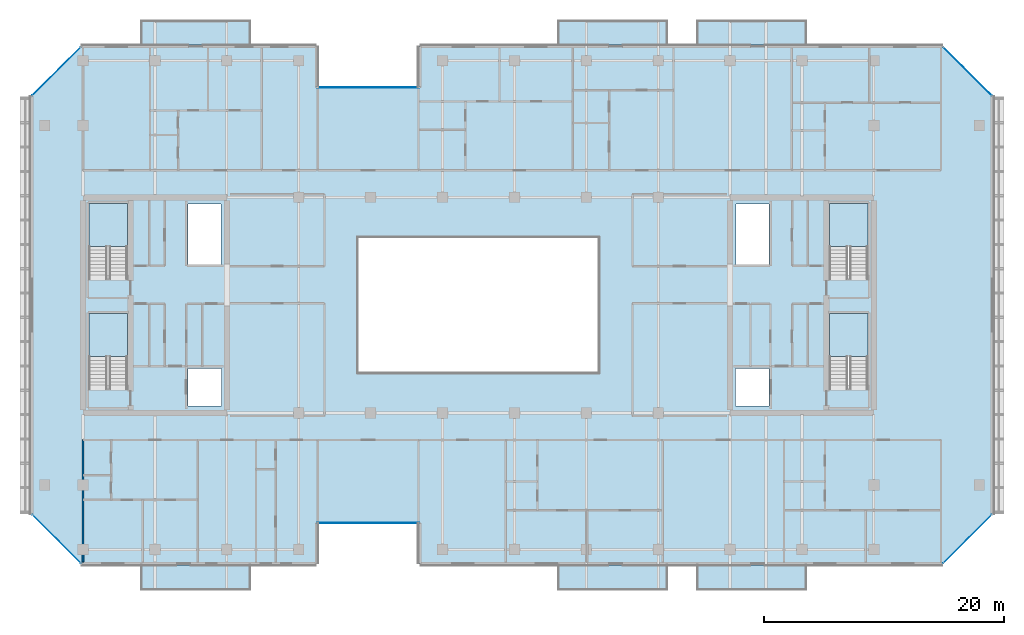
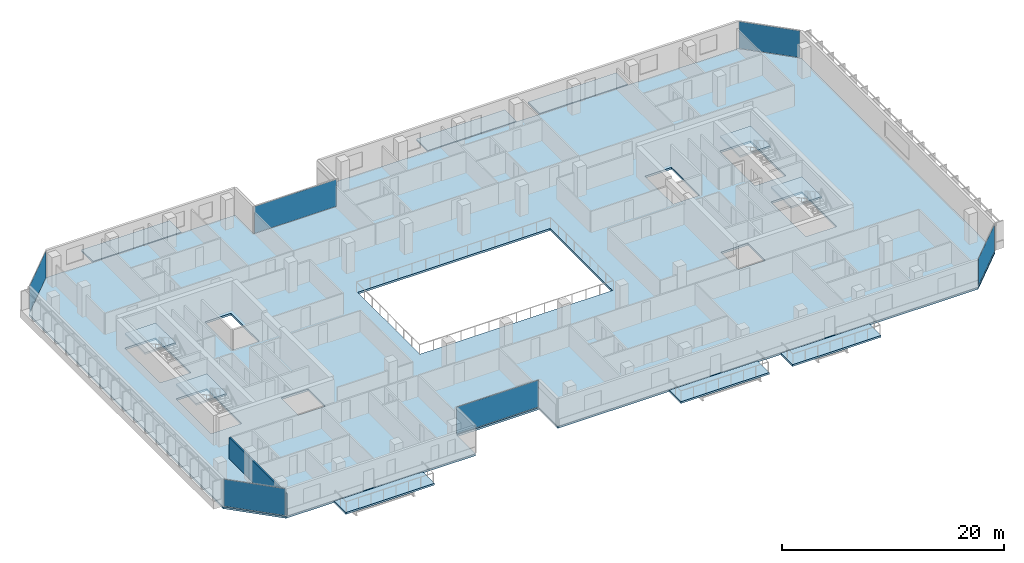
# One storey, part 18 of 29: 11 slabs, 6 plates, 1 wall, 10 elements without a shape of their own.
"""IFC4 building model written with IfcOpenShell, lengths in metres."""

from ifc_helpers import new_model, si_unit, direction, frame, frame_2d, origin, origin_2d, place, context, subcontext, project, spatial, polyline, rectangle, outline, extrude, material, layer, layer_set, type_object, element, aggregate, save


model = new_model("IFC4")

# Units and contexts
model_context = context("Model", 3, precision=1e-05, world=origin(), true_north=direction((0.0, 1.0)))
body_context = subcontext(model_context, "Body", "Model", "MODEL_VIEW")
ifc_project = project(units=[si_unit("LENGTHUNIT", "METRE"), si_unit("AREAUNIT", "SQUARE_METRE"), si_unit("VOLUMEUNIT", "CUBIC_METRE"), si_unit("PLANEANGLEUNIT", "RADIAN"), si_unit("MASSUNIT", "GRAM", prefix="KILO")], contexts=[model_context])

# Site, building, storey
site_placement = place(None, origin())
site = spatial("IfcSite", under=ifc_project, at=site_placement, CompositionType="ELEMENT")
building_placement = place(site_placement, origin())
building = spatial("IfcBuilding", under=site, at=building_placement, Name="Tanjung Sevakor Pilgrim Tower", CompositionType="ELEMENT")
storey_placement = place(building_placement, frame((0.0, 0.0, 148.5)))
storey = spatial("IfcBuildingStorey", under=building, at=storey_placement, Name="L41", CompositionType="ELEMENT", Elevation=148.5)

# Slabs
ifc_material_1 = material(Name="Concrete C40/50", Category="concrete")
ifc_layer_1 = layer(ifc_material_1, 0.199951171875)
ifc_layer_set_1 = layer_set([ifc_layer_1], Name="SL-BAL-200")
slab_type_1 = type_object("IfcSlabType", Name="SL-BAL-200", PredefinedType="FLOOR", material=ifc_layer_set_1)
slab_1_placement = place(storey_placement, frame((0.0, 0.0, -0.199951171875)))
element("IfcSlab", 1, at=slab_1_placement, inside=storey, type_object=slab_type_1, Name="L41 Planted Loggia Balcony MAIN-S1", PredefinedType="FLOOR", context=body_context, shape_type="SweptSolid", body=[
    extrude(outline(polyline([(28.800048828125, 9.800048828125), (38.0, 9.800048828125), (38.0, 11.89990234375), (28.800048828125, 11.89990234375), (28.800048828125, 9.800048828125)])), origin(), (0.0, 0.0, 1.0), 0.199951171875),
])
slab_2_placement = place(storey_placement, frame((0.0, 0.0, -0.199951171875)))
element("IfcSlab", 2, at=slab_2_placement, inside=storey, type_object=slab_type_1, Name="L41 Planted Loggia Balcony MAIN-N1", PredefinedType="FLOOR", context=body_context, shape_type="SweptSolid", body=[
    extrude(outline(polyline([(28.800048828125, 55.300048828125), (38.0, 55.300048828125), (38.0, 57.39990234375), (28.800048828125, 57.39990234375), (28.800048828125, 55.300048828125)])), origin(), (0.0, 0.0, 1.0), 0.199951171875),
])
slab_3_placement = place(storey_placement, frame((0.0, 0.0, -0.199951171875)))
element("IfcSlab", 3, at=slab_3_placement, inside=storey, type_object=slab_type_1, Name="L41 Planted Loggia Balcony MAIN-S2", PredefinedType="FLOOR", context=body_context, shape_type="SweptSolid", body=[
    extrude(outline(polyline([(63.60009765625, 9.800048828125), (72.800048828125, 9.800048828125), (72.800048828125, 11.89990234375), (63.60009765625, 11.89990234375), (63.60009765625, 9.800048828125)])), origin(), (0.0, 0.0, 1.0), 0.199951171875),
])
slab_4_placement = place(storey_placement, frame((0.0, 0.0, -0.199951171875)))
element("IfcSlab", 4, at=slab_4_placement, inside=storey, type_object=slab_type_1, Name="L41 Planted Loggia Balcony MAIN-N2", PredefinedType="FLOOR", context=body_context, shape_type="SweptSolid", body=[
    extrude(outline(polyline([(63.60009765625, 55.300048828125), (72.800048828125, 55.300048828125), (72.800048828125, 57.39990234375), (63.60009765625, 57.39990234375), (63.60009765625, 55.300048828125)])), origin(), (0.0, 0.0, 1.0), 0.199951171875),
])
slab_5_placement = place(storey_placement, frame((0.0, 0.0, -0.199951171875)))
element("IfcSlab", 5, at=slab_5_placement, inside=storey, type_object=slab_type_1, Name="L41 Planted Loggia Balcony MAIN-S3", PredefinedType="FLOOR", context=body_context, shape_type="SweptSolid", body=[
    extrude(outline(polyline([(75.199951171875, 9.800048828125), (84.39990234375, 9.800048828125), (84.39990234375, 11.89990234375), (75.199951171875, 11.89990234375), (75.199951171875, 9.800048828125)])), origin(), (0.0, 0.0, 1.0), 0.199951171875),
])
slab_6_placement = place(storey_placement, frame((0.0, 0.0, -0.199951171875)))
element("IfcSlab", 6, at=slab_6_placement, inside=storey, type_object=slab_type_1, Name="L41 Planted Loggia Balcony MAIN-N3", PredefinedType="FLOOR", context=body_context, shape_type="SweptSolid", body=[
    extrude(outline(polyline([(75.199951171875, 55.300048828125), (84.39990234375, 55.300048828125), (84.39990234375, 57.39990234375), (75.199951171875, 57.39990234375), (75.199951171875, 55.300048828125)])), origin(), (0.0, 0.0, 1.0), 0.199951171875),
])

# Stair, slab
ifc_material_2 = material(Name="Concrete C40/50", Category="concrete")
stair_type = type_object("IfcStairType", Name="STAIR-ST-CR150", PredefinedType="HALF_TURN_STAIR", material=ifc_material_2)
stair_1_placement = place(storey_placement, origin())
stair_1 = element("IfcStair", 7, at=stair_1_placement, inside=storey, type_object=stair_type, Name="L41 West Core Exit Stair 1", PredefinedType="HALF_TURN_STAIR")
ifc_material_3 = material(Name="Concrete C40/50", Category="concrete")
ifc_layer_2 = layer(ifc_material_3, 0.199951171875)
ifc_layer_set_2 = layer_set([ifc_layer_2], Name="SL-LAND-200")
slab_type_2 = type_object("IfcSlabType", Name="SL-LAND-200", PredefinedType="LANDING", material=ifc_layer_set_2)
slab_7_placement = place(storey_placement, frame((0.0, 0.0, 1.449951171875)))
slab_7 = element("IfcSlab", 8, at=slab_7_placement, type_object=slab_type_2, Name="TS-W1 landing 1", PredefinedType="LANDING", context=body_context, shape_type="SweptSolid", body=[
    extrude(outline(polyline([(27.699951171875, 29.300048828125), (27.699951171875, 32.89990234375), (24.5, 32.89990234375), (24.5, 29.300048828125), (27.699951171875, 29.300048828125)])), origin(), (0.0, 0.0, 1.0), 0.199951171875),
])
aggregate(stair_1, [slab_7])

stair_2_placement = place(storey_placement, origin())
stair_2 = element("IfcStair", 9, at=stair_2_placement, inside=storey, type_object=stair_type, Name="L41 West Core Exit Stair 2", PredefinedType="HALF_TURN_STAIR")
slab_8_placement = place(storey_placement, frame((0.0, 0.0, 1.449951171875)))
slab_8 = element("IfcSlab", 10, at=slab_8_placement, type_object=slab_type_2, Name="TS-W2 landing 1", PredefinedType="LANDING", context=body_context, shape_type="SweptSolid", body=[
    extrude(outline(polyline([(27.699951171875, 38.5), (27.699951171875, 42.10009765625), (24.5, 42.10009765625), (24.5, 38.5), (27.699951171875, 38.5)])), origin(), (0.0, 0.0, 1.0), 0.199951171875),
])
aggregate(stair_2, [slab_8])

stair_3_placement = place(storey_placement, origin())
stair_3 = element("IfcStair", 11, at=stair_3_placement, inside=storey, type_object=stair_type, Name="L41 East Core Exit Stair 1", PredefinedType="HALF_TURN_STAIR")
slab_9_placement = place(storey_placement, frame((0.0, 0.0, 1.449951171875)))
slab_9 = element("IfcSlab", 12, at=slab_9_placement, type_object=slab_type_2, Name="TS-E1 landing 1", PredefinedType="LANDING", context=body_context, shape_type="SweptSolid", body=[
    extrude(outline(polyline([(89.5, 29.300048828125), (89.5, 32.89990234375), (86.300048828125, 32.89990234375), (86.300048828125, 29.300048828125), (89.5, 29.300048828125)])), origin(), (0.0, 0.0, 1.0), 0.199951171875),
])
aggregate(stair_3, [slab_9])

stair_4_placement = place(storey_placement, origin())
stair_4 = element("IfcStair", 13, at=stair_4_placement, inside=storey, type_object=stair_type, Name="L41 East Core Exit Stair 2", PredefinedType="HALF_TURN_STAIR")
slab_10_placement = place(storey_placement, frame((0.0, 0.0, 1.449951171875)))
slab_10 = element("IfcSlab", 14, at=slab_10_placement, type_object=slab_type_2, Name="TS-E2 landing 1", PredefinedType="LANDING", context=body_context, shape_type="SweptSolid", body=[
    extrude(outline(polyline([(89.5, 38.5), (89.5, 42.10009765625), (86.300048828125, 42.10009765625), (86.300048828125, 38.5), (89.5, 38.5)])), origin(), (0.0, 0.0, 1.0), 0.199951171875),
])
aggregate(stair_4, [slab_10])

# Slab
ifc_material_4 = material(Name="Concrete C40/50", Category="concrete")
ifc_layer_3 = layer(ifc_material_4, 0.219970703125)
ifc_layer_set_3 = layer_set([ifc_layer_3], Name="SL-TWR-220")
slab_type_3 = type_object("IfcSlabType", Name="SL-TWR-220", PredefinedType="FLOOR", material=ifc_layer_set_3)
slab_11_placement = place(storey_placement, frame((0.0, 0.0, -0.219970703125)))
element("IfcSlab", 15, at=slab_11_placement, inside=storey, type_object=slab_type_3, Name="L41 Floor Slab MAIN", PredefinedType="FLOOR", context=body_context, shape_type="SweptSolid", body=[
    extrude(outline(polyline([(23.846923828125, 11.97998046875), (43.52001953125, 11.97998046875), (43.52001953125, 15.3798828125), (52.080078125, 15.3798828125), (52.080078125, 11.97998046875), (95.753173828125, 11.97998046875), (99.919921875, 16.14697265625), (99.919921875, 51.052978515625), (95.753173828125, 55.219970703125), (52.080078125, 55.219970703125), (52.080078125, 51.820068359375), (43.52001953125, 51.820068359375), (43.52001953125, 55.219970703125), (23.846923828125, 55.219970703125), (19.679931640625, 51.052978515625), (19.679931640625, 16.14697265625), (23.846923828125, 11.97998046875)]), holes=[polyline([(27.699951171875, 26.60009765625), (27.699951171875, 32.89990234375), (24.5, 32.89990234375), (24.5, 26.60009765625), (27.699951171875, 26.60009765625)]), polyline([(27.699951171875, 35.800048828125), (27.699951171875, 42.10009765625), (24.5, 42.10009765625), (24.5, 35.800048828125), (27.699951171875, 35.800048828125)]), polyline([(89.5, 26.60009765625), (89.5, 32.89990234375), (86.300048828125, 32.89990234375), (86.300048828125, 26.60009765625), (89.5, 26.60009765625)]), polyline([(89.5, 35.800048828125), (89.5, 42.10009765625), (86.300048828125, 42.10009765625), (86.300048828125, 35.800048828125), (89.5, 35.800048828125)]), polyline([(32.75, 25.199951171875), (35.550048828125, 25.199951171875), (35.550048828125, 28.300048828125), (32.75, 28.300048828125), (32.75, 25.199951171875)]), polyline([(32.75, 37.0), (35.5, 37.0), (35.5, 42.050048828125), (32.75, 42.050048828125), (32.75, 37.0)]), polyline([(78.449951171875, 25.199951171875), (81.25, 25.199951171875), (81.25, 28.300048828125), (78.449951171875, 28.300048828125), (78.449951171875, 25.199951171875)]), polyline([(78.5, 37.0), (81.25, 37.0), (81.25, 42.050048828125), (78.5, 42.050048828125), (78.5, 37.0)]), polyline([(47.0, 28.0), (67.0, 28.0), (67.0, 39.199951171875), (47.0, 39.199951171875), (47.0, 28.0)])]), origin(), (0.0, 0.0, 1.0), 0.219970703125),
])

# Curtain wall, plate
ifc_material_5 = material(Name="Aluminium 6063-T6 and Low-E Glass", Category="aluminium")
ifc_layer_4 = layer(ifc_material_5, 0.179931640625)
ifc_layer_set_4 = layer_set([ifc_layer_4], Name="CW-SYS-CLEFT")
curtain_wall_type_1 = type_object("IfcCurtainWallType", Name="CW-SYS-CLEFT", PredefinedType="NOTDEFINED", material=ifc_layer_set_4)
curtain_wall_1_placement = place(storey_placement, origin())
curtain_wall_1 = element("IfcCurtainWall", 16, at=curtain_wall_1_placement, inside=storey, type_object=curtain_wall_type_1, Name="L41 Curtain Wall CW-CLF-L41-2", PredefinedType="NOTDEFINED")
ifc_material_6 = material(Name="Laminated Low-E Double Glazing", Category="glass")
ifc_layer_5 = layer(ifc_material_6, 0.028076171875)
ifc_layer_set_5 = layer_set([ifc_layer_5], Name="TYPE-CWP-GLZ1")
plate_type = type_object("IfcPlateType", Name="TYPE-CWP-GLZ1", PredefinedType="CURTAIN_PANEL", material=ifc_layer_set_5)
plate_1_placement = place(storey_placement, frame((47.800048828125, 15.425048828125, 0.06494140625), z_axis=(0.0, 0.0, 1.0), x_axis=(1.0, 0.0, 0.0)))
plate_1 = element("IfcPlate", 17, at=plate_1_placement, type_object=plate_type, Name="CW-CLF panel 1.1", PredefinedType="CURTAIN_PANEL", context=body_context, shape_type="SweptSolid", body=[
    extrude(rectangle(XDim=8.5, YDim=0.028076171875, at=origin_2d()), origin(), (0.0, 0.0, 1.0), 2.949951171875),
])
aggregate(curtain_wall_1, [plate_1])

ifc_material_7 = material(Name="Aluminium 6063-T6 and Low-E Glass", Category="aluminium")
ifc_layer_6 = layer(ifc_material_7, 0.179931640625)
ifc_layer_set_6 = layer_set([ifc_layer_6], Name="CW-SYS-CHAM")
curtain_wall_type_2 = type_object("IfcCurtainWallType", Name="CW-SYS-CHAM", PredefinedType="NOTDEFINED", material=ifc_layer_set_6)
curtain_wall_2_placement = place(storey_placement, origin())
curtain_wall_2 = element("IfcCurtainWall", 18, at=curtain_wall_2_placement, inside=storey, type_object=curtain_wall_type_2, Name="L41 Curtain Wall CW-CHM-L41-MAIN-5", PredefinedType="NOTDEFINED")
plate_2_placement = place(storey_placement, frame((97.8115234375, 14.08837890625, 0.06494140625), z_axis=(0.0, 0.0, 1.0), x_axis=(0.707106781187, 0.707106781187, 0.0)))
plate_2 = element("IfcPlate", 19, at=plate_2_placement, type_object=plate_type, Name="CW-CHM panel 1.1", PredefinedType="CURTAIN_PANEL", context=body_context, shape_type="SweptSolid", body=[
    extrude(rectangle(XDim=5.7060546875, YDim=0.028076171875, at=origin_2d()), origin(), (0.0, 0.0, 1.0), 2.949951171875),
])
aggregate(curtain_wall_2, [plate_2])

curtain_wall_3_placement = place(storey_placement, origin())
curtain_wall_3 = element("IfcCurtainWall", 20, at=curtain_wall_3_placement, inside=storey, type_object=curtain_wall_type_2, Name="L41 Curtain Wall CW-CHM-L41-MAIN-7", PredefinedType="NOTDEFINED")
plate_3_placement = place(storey_placement, frame((97.8115234375, 53.111572265625, 0.06494140625), z_axis=(0.0, 0.0, 1.0), x_axis=(-0.707106781187, 0.707106781187, 0.0)))
plate_3 = element("IfcPlate", 21, at=plate_3_placement, type_object=plate_type, Name="CW-CHM panel 1.1", PredefinedType="CURTAIN_PANEL", context=body_context, shape_type="SweptSolid", body=[
    extrude(rectangle(XDim=5.7060546875, YDim=0.028076171875, at=origin_2d()), origin(), (0.0, 0.0, 1.0), 2.949951171875),
])
aggregate(curtain_wall_3, [plate_3])

curtain_wall_4_placement = place(storey_placement, origin())
curtain_wall_4 = element("IfcCurtainWall", 22, at=curtain_wall_4_placement, inside=storey, type_object=curtain_wall_type_1, Name="L41 Curtain Wall CW-CLF-L41-10", PredefinedType="NOTDEFINED")
plate_4_placement = place(storey_placement, frame((47.800048828125, 51.77490234375, 0.06494140625), z_axis=(0.0, 0.0, 1.0), x_axis=(-1.0, 0.0, 0.0)))
plate_4 = element("IfcPlate", 23, at=plate_4_placement, type_object=plate_type, Name="CW-CLF panel 1.1", PredefinedType="CURTAIN_PANEL", context=body_context, shape_type="SweptSolid", body=[
    extrude(rectangle(XDim=8.5, YDim=0.028076171875, at=origin_2d()), origin(), (0.0, 0.0, 1.0), 2.949951171875),
])
aggregate(curtain_wall_4, [plate_4])

curtain_wall_5_placement = place(storey_placement, origin())
curtain_wall_5 = element("IfcCurtainWall", 24, at=curtain_wall_5_placement, inside=storey, type_object=curtain_wall_type_2, Name="L41 Curtain Wall CW-CHM-L41-MAIN-13", PredefinedType="NOTDEFINED")
plate_5_placement = place(storey_placement, frame((21.788330078125, 53.111572265625, 0.06494140625), z_axis=(0.0, 0.0, 1.0), x_axis=(-0.707106781187, -0.707106781187, 0.0)))
plate_5 = element("IfcPlate", 25, at=plate_5_placement, type_object=plate_type, Name="CW-CHM panel 1.1", PredefinedType="CURTAIN_PANEL", context=body_context, shape_type="SweptSolid", body=[
    extrude(rectangle(XDim=5.7060546875, YDim=0.028076171875, at=origin_2d()), origin(), (0.0, 0.0, 1.0), 2.949951171875),
])
aggregate(curtain_wall_5, [plate_5])

curtain_wall_6_placement = place(storey_placement, origin())
curtain_wall_6 = element("IfcCurtainWall", 26, at=curtain_wall_6_placement, inside=storey, type_object=curtain_wall_type_2, Name="L41 Curtain Wall CW-CHM-L41-MAIN-15", PredefinedType="NOTDEFINED")
plate_6_placement = place(storey_placement, frame((21.788330078125, 14.08837890625, 0.06494140625), z_axis=(0.0, 0.0, 1.0), x_axis=(0.707106781187, -0.707106781187, 0.0)))
plate_6 = element("IfcPlate", 27, at=plate_6_placement, type_object=plate_type, Name="CW-CHM panel 1.1", PredefinedType="CURTAIN_PANEL", context=body_context, shape_type="SweptSolid", body=[
    extrude(rectangle(XDim=5.7060546875, YDim=0.028076171875, at=origin_2d()), origin(), (0.0, 0.0, 1.0), 2.949951171875),
])
aggregate(curtain_wall_6, [plate_6])

# Wall
ifc_material_8 = material(Name="Concrete C40/50", Category="concrete")
ifc_layer_7 = layer(ifc_material_8, 0.14990234375)
ifc_layer_set_7 = layer_set([ifc_layer_7], Name="WT-COMP-150")
wall_type = type_object("IfcWallType", Name="WT-COMP-150", PredefinedType="SOLIDWALL", material=ifc_layer_set_7)
wall_placement = place(storey_placement, frame((24.0, 12.14990234375, 0.0), z_axis=(0.0, 0.0, 1.0), x_axis=(0.0, 1.0, 0.0)))
element("IfcWall", 28, at=wall_placement, inside=storey, type_object=wall_type, Name="L41 Partition IW-L41-051", PredefinedType="SOLIDWALL", context=body_context, shape_type="SweptSolid", body=[
    extrude(rectangle(XDim=10.2001953125, YDim=0.14990234375, at=frame_2d((5.10009765625, 0.0))), origin(), (0.0, 0.0, 1.0), 2.35009765625),
])

save(model, "model.ifc")
